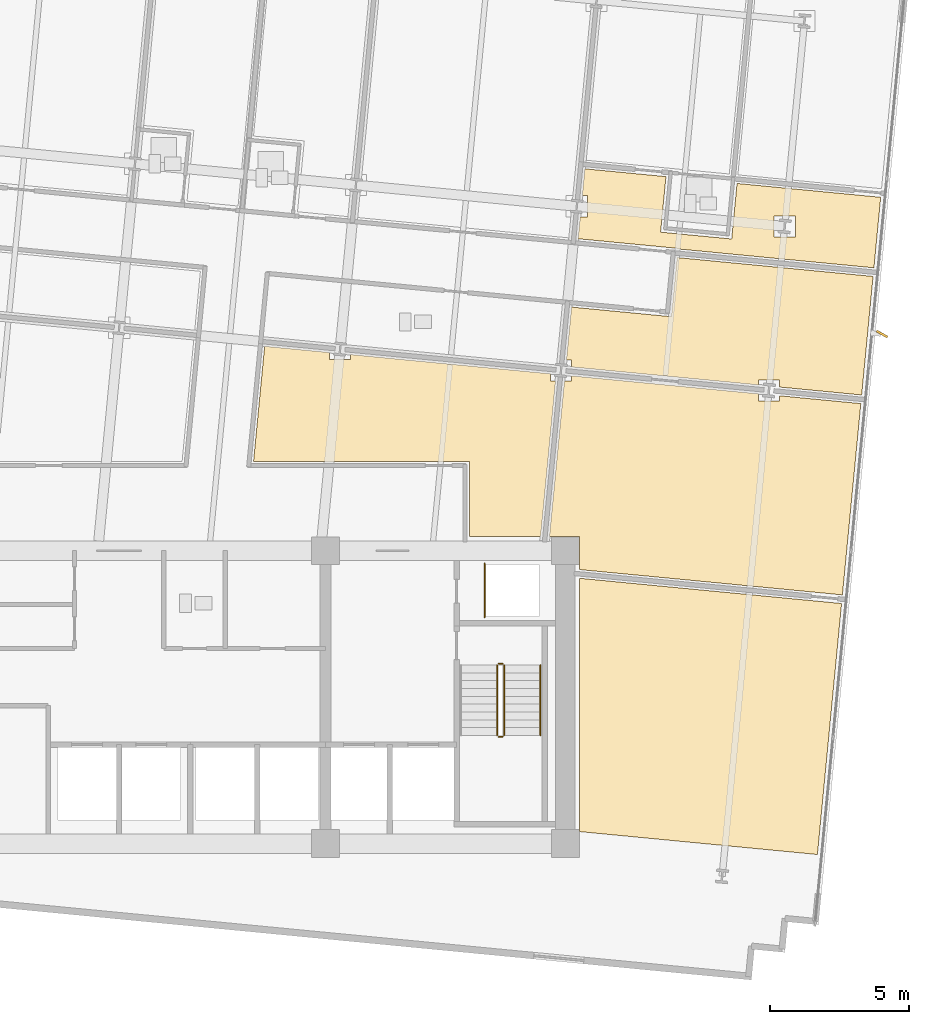
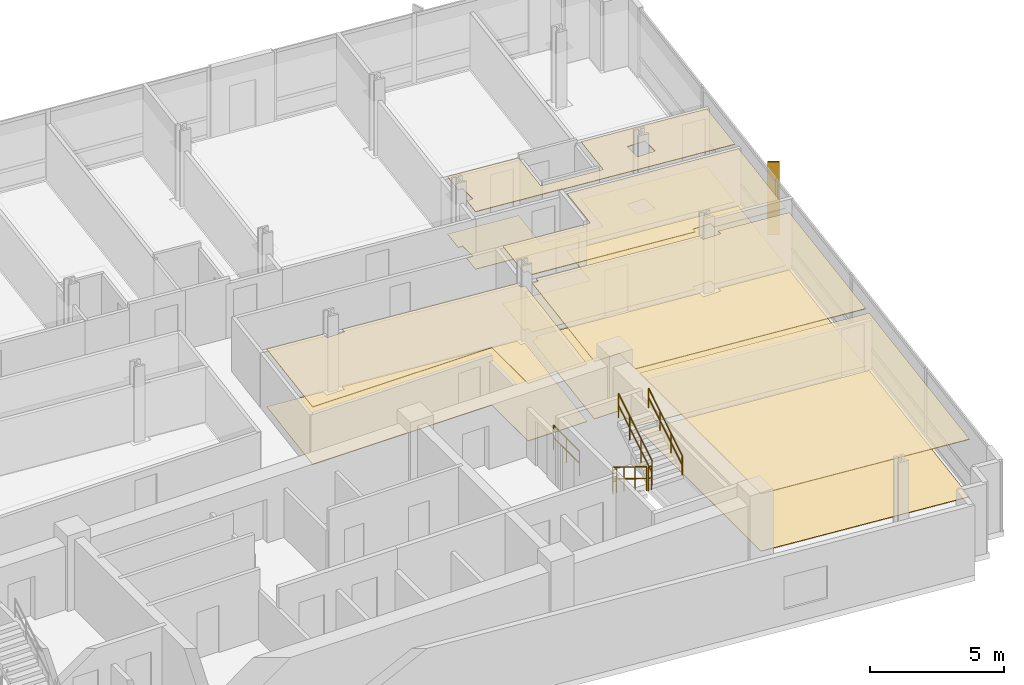
# One storey, part 15 of 17: 10 coverings, 6 railings, 1 shading device.
"""IFC4 building model written with IfcOpenShell, lengths in metres."""

from ifc_helpers import new_model, si_unit, direction, frame, origin, origin_2d, place, context, subcontext, project, spatial, polyline, rectangle, circle, outline, extrude, material, layer, layer_set, type_object, element, save


model = new_model("IFC4")

# Units and contexts
model_context = context("Model", 3, precision=1e-05, world=origin(), true_north=direction((0.0, 1.0)))
body_context = subcontext(model_context, "Body", "Model", "MODEL_VIEW")
ifc_project = project(units=[si_unit("LENGTHUNIT", "METRE"), si_unit("AREAUNIT", "SQUARE_METRE"), si_unit("VOLUMEUNIT", "CUBIC_METRE"), si_unit("PLANEANGLEUNIT", "RADIAN"), si_unit("MASSUNIT", "GRAM", prefix="KILO")], contexts=[model_context])

# Site, building, storey
site_placement = place(None, origin())
site = spatial("IfcSite", under=ifc_project, at=site_placement, CompositionType="ELEMENT")
building_placement = place(site_placement, origin())
building = spatial("IfcBuilding", under=site, at=building_placement, Name="Solmavex Isthmus Hotel", CompositionType="ELEMENT")
storey_placement = place(building_placement, frame((0.0, 0.0, 173.85009765625)))
storey = spatial("IfcBuildingStorey", under=building, at=storey_placement, Name="L47", CompositionType="ELEMENT", Elevation=173.85009765625)

# Coverings
ifc_material_1 = material(Name="Gypsum plasterboard lining", Category="gypsum")
ifc_layer_1 = layer(ifc_material_1, 0.030029296875)
ifc_layer_set_1 = layer_set([ifc_layer_1], Name="Gypsum plasterboard lining")
covering_type_1 = type_object("IfcCoveringType", Name="COV-CEIL-GYP", PredefinedType="CEILING", material=ifc_layer_set_1)
covering_1_placement = place(storey_placement, frame((0.0, 0.0, 2.619873046875)))
element("IfcCovering", 1, at=covering_1_placement, inside=storey, type_object=covering_type_1, Name="Suspended Acoustic Ceiling L47-SH08-LV", PredefinedType="CEILING", context=body_context, shape_type="SweptSolid", body=[
    extrude(outline(polyline([(16.5986328125, 10.22607421875), (16.786376953125, 10.22607421875), (16.786376953125, 9.466064453125), (16.525390625, 9.466064453125), (16.449951171875, 8.68359375), (20.033447265625, 8.33837890625), (20.031494140625, 8.318603515625), (27.05712890625, 7.64208984375), (27.300537109375, 10.17041015625), (22.150390625, 10.666259765625), (21.958740234375, 8.675537109375), (19.410400390625, 8.9208984375), (19.60205078125, 10.91162109375), (16.691650390625, 11.19189453125), (16.5986328125, 10.22607421875)]), holes=[polyline([(23.479736328125, 8.748291015625), (23.479736328125, 9.50830078125), (24.23974609375, 9.50830078125), (24.23974609375, 8.748291015625), (23.479736328125, 8.748291015625)])]), origin(), (0.0, 0.0, 1.0), 0.030029296875),
])
covering_2_placement = place(storey_placement, frame((0.0, 0.0, 2.619873046875)))
element("IfcCovering", 2, at=covering_2_placement, inside=storey, type_object=covering_type_1, Name="Suspended Acoustic Ceiling L47-FL11", PredefinedType="CEILING", context=body_context, shape_type="SweptSolid", body=[
    extrude(outline(polyline([(22.91357421875, 3.43994140625), (22.91357421875, 3.62744140625), (23.673583984375, 3.62744140625), (23.673583984375, 3.36669921875), (26.6181640625, 3.083251953125), (27.02734375, 7.33349609375), (20.001953125, 8.010009765625), (19.797607421875, 5.8896484375), (16.21435546875, 6.23486328125), (16.0322265625, 4.34521484375), (16.219970703125, 4.34521484375), (16.219970703125, 4.08447265625), (22.91357421875, 3.43994140625)])), origin(), (0.0, 0.0, 1.0), 0.030029296875),
])
covering_3_placement = place(storey_placement, frame((0.0, 0.0, 2.619873046875)))
element("IfcCovering", 3, at=covering_3_placement, inside=storey, type_object=covering_type_1, Name="Suspended Acoustic Ceiling L47-FL13", PredefinedType="CEILING", context=body_context, shape_type="SweptSolid", body=[
    extrude(outline(polyline([(8.300537109375, 4.535400390625), (8.300537109375, 4.347900390625), (7.540771484375, 4.347900390625), (7.540771484375, 4.608642578125), (5.21533203125, 4.83251953125), (4.81787109375, 0.705078125), (12.554931640625, 0.705078125), (12.554931640625, -1.9951171875), (15.1103515625, -1.9951171875), (15.647705078125, 3.585205078125), (15.4599609375, 3.585205078125), (15.4599609375, 3.84619140625), (8.300537109375, 4.535400390625)])), origin(), (0.0, 0.0, 1.0), 0.030029296875),
])
covering_4_placement = place(storey_placement, frame((0.0, 0.0, 2.619873046875)))
element("IfcCovering", 4, at=covering_4_placement, inside=storey, type_object=covering_type_1, Name="Suspended Acoustic Ceiling L47-FL14", PredefinedType="CEILING", context=body_context, shape_type="SweptSolid", body=[
    extrude(outline(polyline([(16.219970703125, 3.77294921875), (16.219970703125, 3.585205078125), (15.959228515625, 3.585205078125), (15.421875, -1.9951171875), (16.5048828125, -1.9951171875), (16.5048828125, -3.17626953125), (25.927978515625, -4.083740234375), (26.58837890625, 2.774658203125), (23.673583984375, 3.05517578125), (23.673583984375, 2.867431640625), (22.91357421875, 2.867431640625), (22.91357421875, 3.12841796875), (16.219970703125, 3.77294921875)])), origin(), (0.0, 0.0, 1.0), 0.030029296875),
])
covering_5_placement = place(storey_placement, frame((0.0, 0.0, 2.619873046875)))
element("IfcCovering", 5, at=covering_5_placement, inside=storey, type_object=covering_type_1, Name="Suspended Acoustic Ceiling L47-FL15", PredefinedType="CEILING", context=body_context, shape_type="SweptSolid", body=[
    extrude(outline(polyline([(16.5048828125, -3.48779296875), (16.5048828125, -12.569580078125), (25.03173828125, -13.390625), (25.309326171875, -10.509033203125), (25.898193359375, -4.392333984375), (16.5048828125, -3.48779296875)])), origin(), (0.0, 0.0, 1.0), 0.030029296875),
])
ifc_material_2 = material(Name="Travertine natural stone", Category="masonry")
ifc_layer_2 = layer(ifc_material_2, 0.02490234375)
ifc_layer_set_2 = layer_set([ifc_layer_2], Name="Travertine natural stone")
covering_type_2 = type_object("IfcCoveringType", Name="COV-FLOR-STN", PredefinedType="FLOORING", material=ifc_layer_set_2)
covering_6_placement = place(storey_placement, origin())
element("IfcCovering", 6, at=covering_6_placement, inside=storey, type_object=covering_type_2, Name="Stone and Timber Floor Finish L47-SH08-LV", PredefinedType="FLOORING", context=body_context, shape_type="SweptSolid", body=[
    extrude(outline(polyline([(16.5986328125, 10.22607421875), (16.786376953125, 10.22607421875), (16.786376953125, 9.466064453125), (16.525390625, 9.466064453125), (16.449951171875, 8.68359375), (20.033447265625, 8.33837890625), (20.031494140625, 8.318603515625), (27.05712890625, 7.64208984375), (27.300537109375, 10.17041015625), (22.150390625, 10.666259765625), (21.958740234375, 8.675537109375), (19.410400390625, 8.9208984375), (19.60205078125, 10.91162109375), (16.691650390625, 11.19189453125), (16.5986328125, 10.22607421875)]), holes=[polyline([(23.479736328125, 8.748291015625), (23.479736328125, 9.50830078125), (24.23974609375, 9.50830078125), (24.23974609375, 8.748291015625), (23.479736328125, 8.748291015625)])]), origin(), (0.0, 0.0, 1.0), 0.02490234375),
])
covering_7_placement = place(storey_placement, origin())
element("IfcCovering", 7, at=covering_7_placement, inside=storey, type_object=covering_type_2, Name="Stone and Timber Floor Finish L47-FL11", PredefinedType="FLOORING", context=body_context, shape_type="SweptSolid", body=[
    extrude(outline(polyline([(22.91357421875, 3.43994140625), (22.91357421875, 3.62744140625), (23.673583984375, 3.62744140625), (23.673583984375, 3.36669921875), (26.6181640625, 3.083251953125), (27.02734375, 7.33349609375), (20.001953125, 8.010009765625), (19.797607421875, 5.8896484375), (16.21435546875, 6.23486328125), (16.0322265625, 4.34521484375), (16.219970703125, 4.34521484375), (16.219970703125, 4.08447265625), (22.91357421875, 3.43994140625)])), origin(), (0.0, 0.0, 1.0), 0.02490234375),
])
covering_8_placement = place(storey_placement, origin())
element("IfcCovering", 8, at=covering_8_placement, inside=storey, type_object=covering_type_2, Name="Stone and Timber Floor Finish L47-FL13", PredefinedType="FLOORING", context=body_context, shape_type="SweptSolid", body=[
    extrude(outline(polyline([(8.300537109375, 4.535400390625), (8.300537109375, 4.347900390625), (7.540771484375, 4.347900390625), (7.540771484375, 4.608642578125), (5.21533203125, 4.83251953125), (4.81787109375, 0.705078125), (12.554931640625, 0.705078125), (12.554931640625, -1.9951171875), (15.1103515625, -1.9951171875), (15.647705078125, 3.585205078125), (15.4599609375, 3.585205078125), (15.4599609375, 3.84619140625), (8.300537109375, 4.535400390625)])), origin(), (0.0, 0.0, 1.0), 0.02490234375),
])
covering_9_placement = place(storey_placement, origin())
element("IfcCovering", 9, at=covering_9_placement, inside=storey, type_object=covering_type_2, Name="Stone and Timber Floor Finish L47-FL14", PredefinedType="FLOORING", context=body_context, shape_type="SweptSolid", body=[
    extrude(outline(polyline([(16.219970703125, 3.77294921875), (16.219970703125, 3.585205078125), (15.959228515625, 3.585205078125), (15.421875, -1.9951171875), (16.5048828125, -1.9951171875), (16.5048828125, -3.17626953125), (25.927978515625, -4.083740234375), (26.58837890625, 2.774658203125), (23.673583984375, 3.05517578125), (23.673583984375, 2.867431640625), (22.91357421875, 2.867431640625), (22.91357421875, 3.12841796875), (16.219970703125, 3.77294921875)])), origin(), (0.0, 0.0, 1.0), 0.02490234375),
])
covering_10_placement = place(storey_placement, origin())
element("IfcCovering", 10, at=covering_10_placement, inside=storey, type_object=covering_type_2, Name="Stone and Timber Floor Finish L47-FL15", PredefinedType="FLOORING", context=body_context, shape_type="SweptSolid", body=[
    extrude(outline(polyline([(16.5048828125, -3.48779296875), (16.5048828125, -12.569580078125), (25.03173828125, -13.390625), (25.309326171875, -10.509033203125), (25.898193359375, -4.392333984375), (16.5048828125, -3.48779296875)])), origin(), (0.0, 0.0, 1.0), 0.02490234375),
])

# Railings
ifc_material_3 = material(Name="Clear low-E laminated glass", Category="glass")
ifc_layer_3 = layer(ifc_material_3, 0.080078125)
ifc_layer_set_3 = layer_set([ifc_layer_3], Name="Clear low-E laminated glass")
railing_type_1 = type_object("IfcRailingType", Name="RAIL-ATRIUM-1120", PredefinedType="BALUSTRADE", material=ifc_layer_set_3)
railing_1_placement = place(storey_placement, frame((13.10009765625, -4.89990234375, 0.0)))
element("IfcRailing", 11, at=railing_1_placement, inside=storey, type_object=railing_type_1, Name="Guardrail Balustrade L47-RSE-01", PredefinedType="BALUSTRADE", context=body_context, shape_type="SweptSolid", body=[
    extrude(circle(Radius=0.02392578125, at=origin_2d()), frame((0.0, 0.0, 1.1259765625), z_axis=(0.0, 1.0, 0.0), x_axis=(-1.0, 0.0, 0.0)), (0.0, 0.0, 1.0), 1.949951171875),
    extrude(circle(Radius=0.02392578125, at=origin_2d()), frame((0.0, 0.0, 0.574951171875), z_axis=(0.0, 1.0, 0.0), x_axis=(-1.0, 0.0, 0.0)), (0.0, 0.0, 1.0), 1.949951171875),
    extrude(circle(Radius=0.02099609375, at=origin_2d()), origin(), (0.0, 0.0, 1.0), 1.101806640625),
    extrude(circle(Radius=0.02099609375, at=origin_2d()), frame((0.0, 0.97509765625, 0.0)), (0.0, 0.0, 1.0), 1.101806640625),
    extrude(circle(Radius=0.02099609375, at=origin_2d()), frame((0.0, 1.949951171875, 0.0)), (0.0, 0.0, 1.0), 1.101806640625),
])
ifc_material_4 = material(Name="Stainless steel 316", Category="steel")
ifc_layer_4 = layer(ifc_material_4, 0.06005859375)
ifc_layer_set_4 = layer_set([ifc_layer_4], Name="Stainless steel 316")
railing_type_2 = type_object("IfcRailingType", Name="RAIL-STAIR-GD", PredefinedType="GUARDRAIL", material=ifc_layer_set_4)
railing_2_placement = place(storey_placement, frame((13.550048828125, -6.60009765625, 0.17236328125)))
element("IfcRailing", 12, at=railing_2_placement, inside=storey, type_object=railing_type_2, Name="L47 ST-2 stair guard 1", PredefinedType="GUARDRAIL", context=body_context, shape_type="SweptSolid", body=[
    extrude(circle(Radius=0.02392578125, at=origin_2d()), frame((0.0, 0.0, 1.09619140625), z_axis=(0.0, -0.851400495292, 0.524516154772), x_axis=(1.0, 0.0, 0.0)), (0.0, 0.0, 1.0), 2.9599609375),
    extrude(circle(Radius=0.02392578125, at=origin_2d()), frame((0.0, 0.0, 0.56005859375), z_axis=(0.0, -0.851400495292, 0.524516154772), x_axis=(1.0, 0.0, 0.0)), (0.0, 0.0, 1.0), 2.9599609375),
    extrude(circle(Radius=0.02099609375, at=origin_2d()), origin(), (0.0, 0.0, 1.0), 1.072021484375),
    extrude(circle(Radius=0.02099609375, at=origin_2d()), frame((0.0, -0.840087890625, 0.517578125)), (0.0, 0.0, 1.0), 1.072021484375),
    extrude(circle(Radius=0.02099609375, at=origin_2d()), frame((0.0, -1.679931640625, 1.034912109375)), (0.0, 0.0, 1.0), 1.072021484375),
    extrude(circle(Radius=0.02099609375, at=origin_2d()), frame((0.0, -2.52001953125, 1.552490234375)), (0.0, 0.0, 1.0), 1.072021484375),
])
railing_3_placement = place(storey_placement, frame((13.60009765625, -9.169921875, 1.724853515625)))
element("IfcRailing", 13, at=railing_3_placement, inside=storey, type_object=railing_type_2, Name="L47 ST-2 stair guard 2", PredefinedType="GUARDRAIL", context=body_context, shape_type="SweptSolid", body=[
    extrude(circle(Radius=0.02392578125, at=origin_2d()), frame((0.0, 0.0, 1.09619140625), z_axis=(1.0, 0.0, 0.0), x_axis=(0.0, 1.0, 0.0)), (0.0, 0.0, 1.0), 0.14990234375),
    extrude(circle(Radius=0.02392578125, at=origin_2d()), frame((0.0, 0.0, 0.56005859375), z_axis=(1.0, 0.0, 0.0), x_axis=(0.0, 1.0, 0.0)), (0.0, 0.0, 1.0), 0.14990234375),
    extrude(circle(Radius=0.02099609375, at=origin_2d()), origin(), (0.0, 0.0, 1.0), 1.072021484375),
    extrude(circle(Radius=0.02099609375, at=origin_2d()), frame((0.14990234375, 0.0, 0.0)), (0.0, 0.0, 1.0), 1.072021484375),
])
railing_4_placement = place(storey_placement, frame((13.800048828125, -9.1201171875, 1.8974609375)))
element("IfcRailing", 14, at=railing_4_placement, inside=storey, type_object=railing_type_2, Name="L47 ST-2 stair guard 3", PredefinedType="GUARDRAIL", context=body_context, shape_type="SweptSolid", body=[
    extrude(circle(Radius=0.02392578125, at=origin_2d()), frame((0.0, 0.0, 1.09619140625), z_axis=(0.0, 0.851400495292, 0.524516154772), x_axis=(-1.0, 0.0, 0.0)), (0.0, 0.0, 1.0), 2.9599609375),
    extrude(circle(Radius=0.02392578125, at=origin_2d()), frame((0.0, 0.0, 0.56005859375), z_axis=(0.0, 0.851400495292, 0.524516154772), x_axis=(-1.0, 0.0, 0.0)), (0.0, 0.0, 1.0), 2.9599609375),
    extrude(circle(Radius=0.02099609375, at=origin_2d()), origin(), (0.0, 0.0, 1.0), 1.072021484375),
    extrude(circle(Radius=0.02099609375, at=origin_2d()), frame((0.0, 0.840087890625, 0.517578125)), (0.0, 0.0, 1.0), 1.072021484375),
    extrude(circle(Radius=0.02099609375, at=origin_2d()), frame((0.0, 1.679931640625, 1.034912109375)), (0.0, 0.0, 1.0), 1.072021484375),
    extrude(circle(Radius=0.02099609375, at=origin_2d()), frame((0.0, 2.52001953125, 1.552490234375)), (0.0, 0.0, 1.0), 1.072021484375),
])
railing_5_placement = place(storey_placement, frame((13.60009765625, -6.550048828125, 0.0)))
element("IfcRailing", 15, at=railing_5_placement, inside=storey, type_object=railing_type_2, Name="L47 ST-2 stair guard 4", PredefinedType="GUARDRAIL", context=body_context, shape_type="SweptSolid", body=[
    extrude(circle(Radius=0.02392578125, at=origin_2d()), frame((0.0, 0.0, 1.09619140625), z_axis=(1.0, 0.0, 0.0), x_axis=(0.0, 1.0, 0.0)), (0.0, 0.0, 1.0), 0.14990234375),
    extrude(circle(Radius=0.02392578125, at=origin_2d()), frame((0.0, 0.0, 0.56005859375), z_axis=(1.0, 0.0, 0.0), x_axis=(0.0, 1.0, 0.0)), (0.0, 0.0, 1.0), 0.14990234375),
    extrude(circle(Radius=0.02099609375, at=origin_2d()), origin(), (0.0, 0.0, 1.0), 1.072021484375),
    extrude(circle(Radius=0.02099609375, at=origin_2d()), frame((0.14990234375, 0.0, 0.0)), (0.0, 0.0, 1.0), 1.072021484375),
])
ifc_layer_5 = layer(ifc_material_4, 0.050048828125)
ifc_layer_set_5 = layer_set([ifc_layer_5], Name="Stainless steel 316")
railing_type_3 = type_object("IfcRailingType", Name="RAIL-STAIR-HR", PredefinedType="HANDRAIL", material=ifc_layer_set_5)
railing_6_placement = place(storey_placement, frame((15.10009765625, -9.1201171875, 1.8974609375)))
element("IfcRailing", 16, at=railing_6_placement, inside=storey, type_object=railing_type_3, Name="L47 ST-2 stair handrail 2", PredefinedType="HANDRAIL", context=body_context, shape_type="SweptSolid", body=[
    extrude(circle(Radius=0.02392578125, at=origin_2d()), frame((0.0, 0.0, 0.8759765625), z_axis=(0.0, 0.851400495292, 0.524516154772), x_axis=(-1.0, 0.0, 0.0)), (0.0, 0.0, 1.0), 2.9599609375),
    extrude(circle(Radius=0.02392578125, at=origin_2d()), frame((0.0, 0.0, 0.449951171875), z_axis=(0.0, 0.851400495292, 0.524516154772), x_axis=(-1.0, 0.0, 0.0)), (0.0, 0.0, 1.0), 2.9599609375),
    extrude(circle(Radius=0.02099609375, at=origin_2d()), origin(), (0.0, 0.0, 1.0), 0.851806640625),
    extrude(circle(Radius=0.02099609375, at=origin_2d()), frame((0.0, 0.840087890625, 0.517578125)), (0.0, 0.0, 1.0), 0.851806640625),
    extrude(circle(Radius=0.02099609375, at=origin_2d()), frame((0.0, 1.679931640625, 1.034912109375)), (0.0, 0.0, 1.0), 0.851806640625),
    extrude(circle(Radius=0.02099609375, at=origin_2d()), frame((0.0, 2.52001953125, 1.552490234375)), (0.0, 0.0, 1.0), 0.851806640625),
])

# Shading device
ifc_material_5 = material(Name="Aluminium alloy 6063-T6", Category="aluminium")
shading_device_type = type_object("IfcShadingDeviceType", Name="SHD-FIN-BRONZE", PredefinedType="USERDEFINED", material=ifc_material_5)
shading_device_placement = place(storey_placement, frame((27.345947265625, 5.2685546875, -0.14013671875), z_axis=(0.0, 0.0, 1.0), x_axis=(0.87035569594, -0.492423560103, 0.0)))
element("IfcShadingDevice", 17, at=shading_device_placement, inside=storey, type_object=shading_device_type, Name="Anodised Aluminium Solar Fin L47-E1", ObjectType="SOLAR_FIN", PredefinedType="USERDEFINED", context=body_context, shape_type="SweptSolid", body=[
    extrude(rectangle(XDim=0.449951171875, YDim=0.080078125, at=origin_2d()), origin(), (0.0, 0.0, 1.0), 3.330078125),
])

save(model, "model.ifc")
